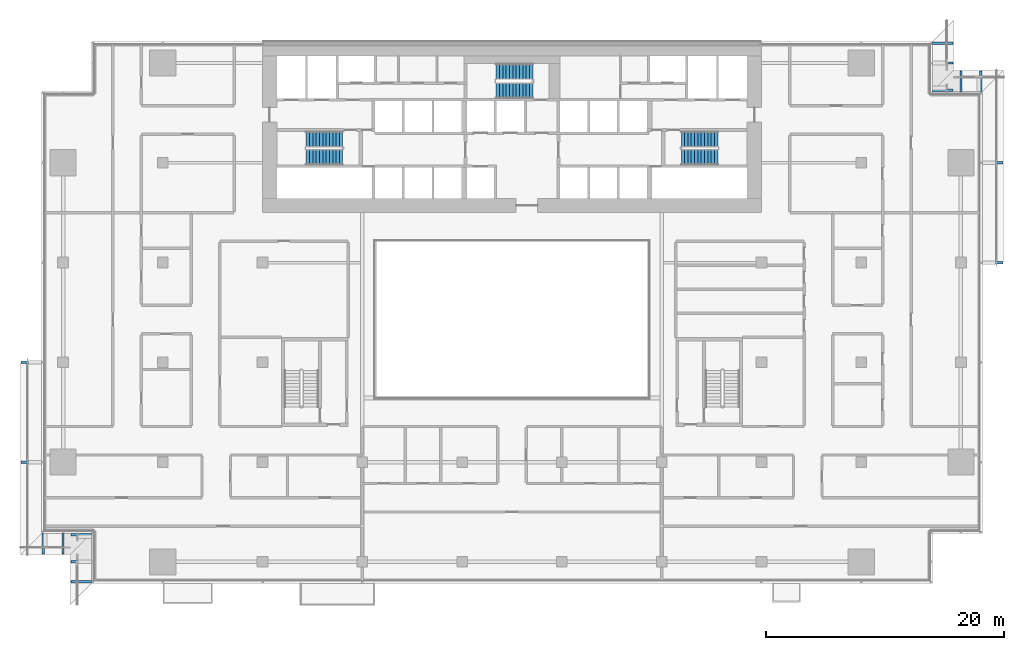
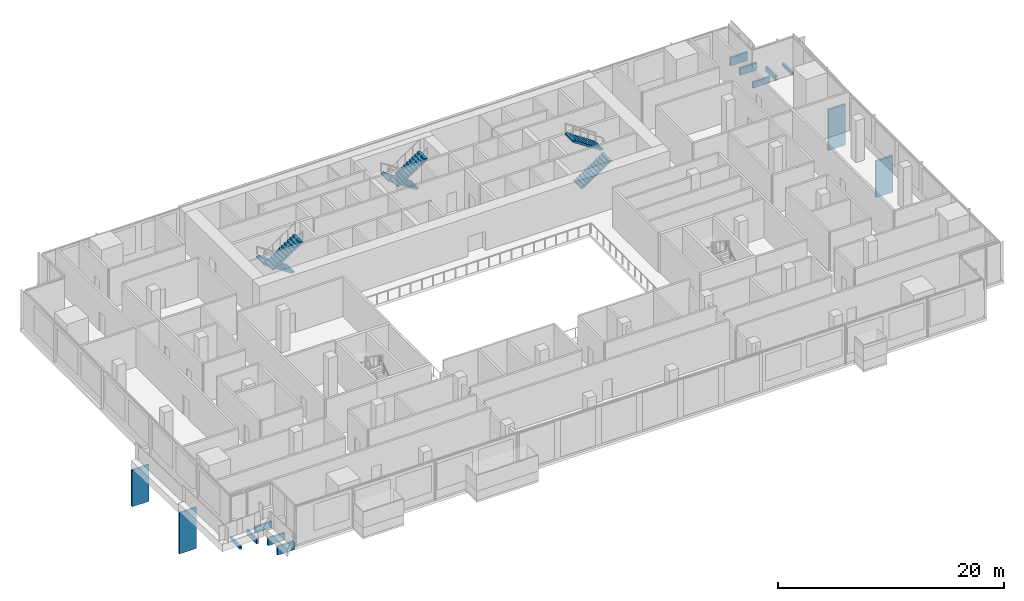
# One storey, part 20 of 23: 14 discrete accessories, 6 stair flights, 3 elements without a shape of their own.
"""IFC4 building model written with IfcOpenShell, lengths in metres."""

from ifc_helpers import new_model, si_unit, direction, frame, origin, origin_2d, place, context, subcontext, project, spatial, polyline, rectangle, outline, extrude, material, type_object, element, aggregate, save


model = new_model("IFC4")

# Units and contexts
model_context = context("Model", 3, precision=1e-05, world=origin(), true_north=direction((0.0, 1.0)))
body_context = subcontext(model_context, "Body", "Model", "MODEL_VIEW")
ifc_project = project(units=[si_unit("LENGTHUNIT", "METRE"), si_unit("AREAUNIT", "SQUARE_METRE"), si_unit("VOLUMEUNIT", "CUBIC_METRE"), si_unit("PLANEANGLEUNIT", "RADIAN"), si_unit("MASSUNIT", "GRAM", prefix="KILO")], contexts=[model_context])

# Site, building, storey
site_placement = place(None, origin())
site = spatial("IfcSite", under=ifc_project, at=site_placement, CompositionType="ELEMENT")
building_placement = place(site_placement, origin())
building = spatial("IfcBuilding", under=site, at=building_placement, Name="Saffron Gate Tower", CompositionType="ELEMENT")
storey_placement = place(building_placement, frame((0.0, 0.0, 32.699951171875)))
storey = spatial("IfcBuildingStorey", under=building, at=storey_placement, Name="L06", CompositionType="ELEMENT", Elevation=32.699951171875)

# Stair, stair flights
ifc_material = material(Name="Concrete C40", Category="concrete")
stair_type = type_object("IfcStairType", Name="ST6 Stair 1350 wide, 24 risers of 188", PredefinedType="HALF_TURN_STAIR", material=ifc_material)
stair_1_placement = place(storey_placement, origin())
stair_1 = element("IfcStair", 1, at=stair_1_placement, inside=storey, type_object=stair_type, Name="L06 Exit stair A", PredefinedType="HALF_TURN_STAIR")
stair_flight_type = type_object("IfcStairFlightType", Name="SF2 Stair flight 1350 wide, riser 188 going 280", PredefinedType="STRAIGHT", material=ifc_material)
stair_flight_1_placement = place(storey_placement, frame((73.35009765625, 67.375, 0.0), z_axis=(0.0, 0.0, 1.0), x_axis=(-1.0, 0.0, 0.0)))
stair_flight_1 = element("IfcStairFlight", 2, at=stair_flight_1_placement, type_object=stair_flight_type, Name="ST-A flight 1", NumberOfRisers=12, NumberOfTreads=11, PredefinedType="STRAIGHT", RiserHeight=0.1875, TreadLength=0.28, context=body_context, shape_type="SweptSolid", body=[
    extrude(outline(polyline([(0.0, 0.0), (0.0, 0.1875), (0.280029296875, 0.1875), (0.280029296875, 0.375), (0.56005859375, 0.375), (0.56005859375, 0.5625), (0.840087890625, 0.5625), (0.840087890625, 0.75), (1.1201171875, 0.75), (1.1201171875, 0.9375), (1.39990234375, 0.9375), (1.39990234375, 1.125), (1.679931640625, 1.125), (1.679931640625, 1.3125), (1.9599609375, 1.3125), (1.9599609375, 1.5), (2.239990234375, 1.5), (2.239990234375, 1.6875), (2.52001953125, 1.6875), (2.52001953125, 1.875), (2.800048828125, 1.875), (2.800048828125, 2.0625), (3.080078125, 2.0625), (3.080078125, 2.25), (3.080078125, 1.882080078125), (0.26953125, 0.0), (0.0, 0.0)])), frame((0.0, 0.675048828125, 0.0), z_axis=(0.0, -1.0, 0.0), x_axis=(1.0, 0.0, 0.0)), (0.0, 0.0, 1.0), 1.35009765625),
])
stair_flight_2_placement = place(storey_placement, frame((70.27001953125, 65.875, 2.25), z_axis=(0.0, 0.0, 1.0), x_axis=(1.0, 0.0, 0.0)))
stair_flight_2 = element("IfcStairFlight", 3, at=stair_flight_2_placement, type_object=stair_flight_type, Name="ST-A flight 2", NumberOfRisers=12, NumberOfTreads=11, PredefinedType="STRAIGHT", RiserHeight=0.1875, TreadLength=0.28, context=body_context, shape_type="SweptSolid", body=[
    extrude(outline(polyline([(0.0, 0.0), (0.0, 0.1875), (0.280029296875, 0.1875), (0.280029296875, 0.375), (0.56005859375, 0.375), (0.56005859375, 0.5625), (0.840087890625, 0.5625), (0.840087890625, 0.75), (1.1201171875, 0.75), (1.1201171875, 0.9375), (1.39990234375, 0.9375), (1.39990234375, 1.125), (1.679931640625, 1.125), (1.679931640625, 1.3125), (1.9599609375, 1.3125), (1.9599609375, 1.5), (2.239990234375, 1.5), (2.239990234375, 1.6875), (2.52001953125, 1.6875), (2.52001953125, 1.875), (2.800048828125, 1.875), (2.800048828125, 2.0625), (3.080078125, 2.0625), (3.080078125, 2.25), (3.080078125, 1.882080078125), (0.26953125, 0.0), (0.0, 0.0)])), frame((0.0, 0.675048828125, 0.0), z_axis=(0.0, -1.0, 0.0), x_axis=(1.0, 0.0, 0.0)), (0.0, 0.0, 1.0), 1.35009765625),
])
aggregate(stair_1, [stair_flight_1, stair_flight_2])

stair_2_placement = place(storey_placement, origin())
stair_2 = element("IfcStair", 4, at=stair_2_placement, inside=storey, type_object=stair_type, Name="L06 Exit stair B", PredefinedType="HALF_TURN_STAIR")
stair_flight_3_placement = place(storey_placement, frame((101.85009765625, 65.875, 0.0), z_axis=(0.0, 0.0, 1.0), x_axis=(1.0, 0.0, 0.0)))
stair_flight_3 = element("IfcStairFlight", 5, at=stair_flight_3_placement, type_object=stair_flight_type, Name="ST-B flight 1", NumberOfRisers=12, NumberOfTreads=11, PredefinedType="STRAIGHT", RiserHeight=0.1875, TreadLength=0.28, context=body_context, shape_type="SweptSolid", body=[
    extrude(outline(polyline([(0.0, 0.0), (0.0, 0.1875), (0.280029296875, 0.1875), (0.280029296875, 0.375), (0.56005859375, 0.375), (0.56005859375, 0.5625), (0.840087890625, 0.5625), (0.840087890625, 0.75), (1.1201171875, 0.75), (1.1201171875, 0.9375), (1.39990234375, 0.9375), (1.39990234375, 1.125), (1.679931640625, 1.125), (1.679931640625, 1.3125), (1.9599609375, 1.3125), (1.9599609375, 1.5), (2.239990234375, 1.5), (2.239990234375, 1.6875), (2.52001953125, 1.6875), (2.52001953125, 1.875), (2.800048828125, 1.875), (2.800048828125, 2.0625), (3.080078125, 2.0625), (3.080078125, 2.25), (3.080078125, 1.882080078125), (0.26953125, 0.0), (0.0, 0.0)])), frame((0.0, 0.675048828125, 0.0), z_axis=(0.0, -1.0, 0.0), x_axis=(1.0, 0.0, 0.0)), (0.0, 0.0, 1.0), 1.35009765625),
])
stair_flight_4_placement = place(storey_placement, frame((104.929931640625, 67.375, 2.25), z_axis=(0.0, 0.0, 1.0), x_axis=(-1.0, 0.0, 0.0)))
stair_flight_4 = element("IfcStairFlight", 6, at=stair_flight_4_placement, type_object=stair_flight_type, Name="ST-B flight 2", NumberOfRisers=12, NumberOfTreads=11, PredefinedType="STRAIGHT", RiserHeight=0.1875, TreadLength=0.28, context=body_context, shape_type="SweptSolid", body=[
    extrude(outline(polyline([(0.0, 0.0), (0.0, 0.1875), (0.280029296875, 0.1875), (0.280029296875, 0.375), (0.56005859375, 0.375), (0.56005859375, 0.5625), (0.840087890625, 0.5625), (0.840087890625, 0.75), (1.1201171875, 0.75), (1.1201171875, 0.9375), (1.39990234375, 0.9375), (1.39990234375, 1.125), (1.679931640625, 1.125), (1.679931640625, 1.3125), (1.9599609375, 1.3125), (1.9599609375, 1.5), (2.239990234375, 1.5), (2.239990234375, 1.6875), (2.52001953125, 1.6875), (2.52001953125, 1.875), (2.800048828125, 1.875), (2.800048828125, 2.0625), (3.080078125, 2.0625), (3.080078125, 2.25), (3.080078125, 1.882080078125), (0.26953125, 0.0), (0.0, 0.0)])), frame((0.0, 0.675048828125, 0.0), z_axis=(0.0, -1.0, 0.0), x_axis=(1.0, 0.0, 0.0)), (0.0, 0.0, 1.0), 1.35009765625),
])
aggregate(stair_2, [stair_flight_3, stair_flight_4])

stair_3_placement = place(storey_placement, origin())
stair_3 = element("IfcStair", 7, at=stair_3_placement, inside=storey, type_object=stair_type, Name="L06 Exit stair C", PredefinedType="HALF_TURN_STAIR")
stair_flight_5_placement = place(storey_placement, frame((89.35009765625, 73.074951171875, 0.0), z_axis=(0.0, 0.0, 1.0), x_axis=(-1.0, 0.0, 0.0)))
stair_flight_5 = element("IfcStairFlight", 8, at=stair_flight_5_placement, type_object=stair_flight_type, Name="ST-C flight 1", NumberOfRisers=12, NumberOfTreads=11, PredefinedType="STRAIGHT", RiserHeight=0.1875, TreadLength=0.28, context=body_context, shape_type="SweptSolid", body=[
    extrude(outline(polyline([(0.0, 0.0), (0.0, 0.1875), (0.280029296875, 0.1875), (0.280029296875, 0.375), (0.56005859375, 0.375), (0.56005859375, 0.5625), (0.840087890625, 0.5625), (0.840087890625, 0.75), (1.1201171875, 0.75), (1.1201171875, 0.9375), (1.39990234375, 0.9375), (1.39990234375, 1.125), (1.679931640625, 1.125), (1.679931640625, 1.3125), (1.9599609375, 1.3125), (1.9599609375, 1.5), (2.239990234375, 1.5), (2.239990234375, 1.6875), (2.52001953125, 1.6875), (2.52001953125, 1.875), (2.800048828125, 1.875), (2.800048828125, 2.0625), (3.080078125, 2.0625), (3.080078125, 2.25), (3.080078125, 1.882080078125), (0.26953125, 0.0), (0.0, 0.0)])), frame((0.0, 0.675048828125, 0.0), z_axis=(0.0, -1.0, 0.0), x_axis=(1.0, 0.0, 0.0)), (0.0, 0.0, 1.0), 1.35009765625),
])
stair_flight_6_placement = place(storey_placement, frame((86.27001953125, 71.47509765625, 2.25), z_axis=(0.0, 0.0, 1.0), x_axis=(1.0, 0.0, 0.0)))
stair_flight_6 = element("IfcStairFlight", 9, at=stair_flight_6_placement, type_object=stair_flight_type, Name="ST-C flight 2", NumberOfRisers=12, NumberOfTreads=11, PredefinedType="STRAIGHT", RiserHeight=0.1875, TreadLength=0.28, context=body_context, shape_type="SweptSolid", body=[
    extrude(outline(polyline([(0.0, 0.0), (0.0, 0.1875), (0.280029296875, 0.1875), (0.280029296875, 0.375), (0.56005859375, 0.375), (0.56005859375, 0.5625), (0.840087890625, 0.5625), (0.840087890625, 0.75), (1.1201171875, 0.75), (1.1201171875, 0.9375), (1.39990234375, 0.9375), (1.39990234375, 1.125), (1.679931640625, 1.125), (1.679931640625, 1.3125), (1.9599609375, 1.3125), (1.9599609375, 1.5), (2.239990234375, 1.5), (2.239990234375, 1.6875), (2.52001953125, 1.6875), (2.52001953125, 1.875), (2.800048828125, 1.875), (2.800048828125, 2.0625), (3.080078125, 2.0625), (3.080078125, 2.25), (3.080078125, 1.882080078125), (0.26953125, 0.0), (0.0, 0.0)])), frame((0.0, 0.675048828125, 0.0), z_axis=(0.0, -1.0, 0.0), x_axis=(1.0, 0.0, 0.0)), (0.0, 0.0, 1.0), 1.35009765625),
])
aggregate(stair_3, [stair_flight_5, stair_flight_6])

# Discrete accessories
discrete_accessory_1_placement = place(storey_placement, frame((47.125, 48.60009765625, -4.7998046875), z_axis=(0.0, 0.0, 1.0), x_axis=(0.0, -1.0, 0.0)))
element("IfcDiscreteAccessory", 10, at=discrete_accessory_1_placement, inside=storey, Name="LEDGE rib", PredefinedType="BRACKET", context=body_context, shape_type="SweptSolid", body=[
    extrude(rectangle(XDim=0.199951171875, YDim=1.75, at=origin_2d()), origin(), (0.0, 0.0, 1.0), 3.942626953125),
])
discrete_accessory_2_placement = place(storey_placement, frame((47.125, 40.199951171875, -4.7998046875), z_axis=(0.0, 0.0, 1.0), x_axis=(0.0, -1.0, 0.0)))
element("IfcDiscreteAccessory", 11, at=discrete_accessory_2_placement, inside=storey, Name="LEDGE rib", PredefinedType="BRACKET", context=body_context, shape_type="SweptSolid", body=[
    extrude(rectangle(XDim=0.199951171875, YDim=1.75, at=origin_2d()), origin(), (0.0, 0.0, 1.0), 4.415771484375),
])
discrete_accessory_3_placement = place(storey_placement, frame((48.1201171875, 33.324951171875, -0.300048828125), z_axis=(0.0, 0.0, 1.0), x_axis=(1.0, 0.0, 0.0)))
element("IfcDiscreteAccessory", 12, at=discrete_accessory_3_placement, inside=storey, Name="LEDGE rib", PredefinedType="BRACKET", context=body_context, shape_type="SweptSolid", body=[
    extrude(rectangle(XDim=0.199951171875, YDim=1.75, at=origin_2d()), origin(), (0.0, 0.0, 1.0), 0.31982421875),
])
discrete_accessory_4_placement = place(storey_placement, frame((49.800048828125, 33.324951171875, -0.2998046875), z_axis=(0.0, 0.0, 1.0), x_axis=(1.0, 0.0, 0.0)))
element("IfcDiscreteAccessory", 13, at=discrete_accessory_4_placement, inside=storey, Name="LEDGE rib", PredefinedType="BRACKET", context=body_context, shape_type="SweptSolid", body=[
    extrude(rectangle(XDim=0.199951171875, YDim=1.75, at=origin_2d()), origin(), (0.0, 0.0, 1.0), 0.536865234375),
])
discrete_accessory_5_placement = place(storey_placement, frame((51.324951171875, 34.080078125, -0.2998046875), z_axis=(0.0, 0.0, 1.0), x_axis=(0.0, -1.0, 0.0)))
element("IfcDiscreteAccessory", 14, at=discrete_accessory_5_placement, inside=storey, Name="LEDGE rib", PredefinedType="BRACKET", context=body_context, shape_type="SweptSolid", body=[
    extrude(rectangle(XDim=0.199951171875, YDim=1.75, at=origin_2d()), origin(), (0.0, 0.0, 1.0), 0.655517578125),
])
discrete_accessory_6_placement = place(storey_placement, frame((51.324951171875, 31.800048828125, -0.2998046875), z_axis=(0.0, 0.0, 1.0), x_axis=(0.0, -1.0, 0.0)))
element("IfcDiscreteAccessory", 15, at=discrete_accessory_6_placement, inside=storey, Name="LEDGE rib", PredefinedType="BRACKET", context=body_context, shape_type="SweptSolid", body=[
    extrude(rectangle(XDim=0.199951171875, YDim=1.75, at=origin_2d()), origin(), (0.0, 0.0, 1.0), 0.79052734375),
])
discrete_accessory_7_placement = place(storey_placement, frame((51.324951171875, 30.1201171875, -0.2998046875), z_axis=(0.0, 0.0, 1.0), x_axis=(0.0, -1.0, 0.0)))
element("IfcDiscreteAccessory", 16, at=discrete_accessory_7_placement, inside=storey, Name="LEDGE rib", PredefinedType="BRACKET", context=body_context, shape_type="SweptSolid", body=[
    extrude(rectangle(XDim=0.199951171875, YDim=1.75, at=origin_2d()), origin(), (0.0, 0.0, 1.0), 0.908447265625),
])
discrete_accessory_8_placement = place(storey_placement, frame((128.074951171875, 57.0, -4.7998046875), z_axis=(0.0, 0.0, 1.0), x_axis=(0.0, 1.0, 0.0)))
element("IfcDiscreteAccessory", 17, at=discrete_accessory_8_placement, inside=storey, Name="LEDGE rib", PredefinedType="BRACKET", context=body_context, shape_type="SweptSolid", body=[
    extrude(rectangle(XDim=0.199951171875, YDim=1.75, at=origin_2d()), origin(), (0.0, 0.0, 1.0), 3.942626953125),
])
discrete_accessory_9_placement = place(storey_placement, frame((128.074951171875, 65.39990234375, -4.7998046875), z_axis=(0.0, 0.0, 1.0), x_axis=(0.0, 1.0, 0.0)))
element("IfcDiscreteAccessory", 18, at=discrete_accessory_9_placement, inside=storey, Name="LEDGE rib", PredefinedType="BRACKET", context=body_context, shape_type="SweptSolid", body=[
    extrude(rectangle(XDim=0.199951171875, YDim=1.75, at=origin_2d()), origin(), (0.0, 0.0, 1.0), 4.415771484375),
])
discrete_accessory_10_placement = place(storey_placement, frame((127.080078125, 72.27490234375, -0.300048828125), z_axis=(0.0, 0.0, 1.0), x_axis=(-1.0, 0.0, 0.0)))
element("IfcDiscreteAccessory", 19, at=discrete_accessory_10_placement, inside=storey, Name="LEDGE rib", PredefinedType="BRACKET", context=body_context, shape_type="SweptSolid", body=[
    extrude(rectangle(XDim=0.199951171875, YDim=1.75, at=origin_2d()), origin(), (0.0, 0.0, 1.0), 0.31982421875),
])
discrete_accessory_11_placement = place(storey_placement, frame((125.39990234375, 72.27490234375, -0.2998046875), z_axis=(0.0, 0.0, 1.0), x_axis=(-1.0, 0.0, 0.0)))
element("IfcDiscreteAccessory", 20, at=discrete_accessory_11_placement, inside=storey, Name="LEDGE rib", PredefinedType="BRACKET", context=body_context, shape_type="SweptSolid", body=[
    extrude(rectangle(XDim=0.199951171875, YDim=1.75, at=origin_2d()), origin(), (0.0, 0.0, 1.0), 0.536865234375),
])
discrete_accessory_12_placement = place(storey_placement, frame((123.875, 71.52001953125, -0.2998046875), z_axis=(0.0, 0.0, 1.0), x_axis=(0.0, 1.0, 0.0)))
element("IfcDiscreteAccessory", 21, at=discrete_accessory_12_placement, inside=storey, Name="LEDGE rib", PredefinedType="BRACKET", context=body_context, shape_type="SweptSolid", body=[
    extrude(rectangle(XDim=0.199951171875, YDim=1.75, at=origin_2d()), origin(), (0.0, 0.0, 1.0), 0.655517578125),
])
discrete_accessory_13_placement = place(storey_placement, frame((123.875, 73.800048828125, -0.2998046875), z_axis=(0.0, 0.0, 1.0), x_axis=(0.0, 1.0, 0.0)))
element("IfcDiscreteAccessory", 22, at=discrete_accessory_13_placement, inside=storey, Name="LEDGE rib", PredefinedType="BRACKET", context=body_context, shape_type="SweptSolid", body=[
    extrude(rectangle(XDim=0.199951171875, YDim=1.75, at=origin_2d()), origin(), (0.0, 0.0, 1.0), 0.79052734375),
])
discrete_accessory_14_placement = place(storey_placement, frame((123.875, 75.47998046875, -0.2998046875), z_axis=(0.0, 0.0, 1.0), x_axis=(0.0, 1.0, 0.0)))
element("IfcDiscreteAccessory", 23, at=discrete_accessory_14_placement, inside=storey, Name="LEDGE rib", PredefinedType="BRACKET", context=body_context, shape_type="SweptSolid", body=[
    extrude(rectangle(XDim=0.199951171875, YDim=1.75, at=origin_2d()), origin(), (0.0, 0.0, 1.0), 0.908447265625),
])

save(model, "model.ifc")
